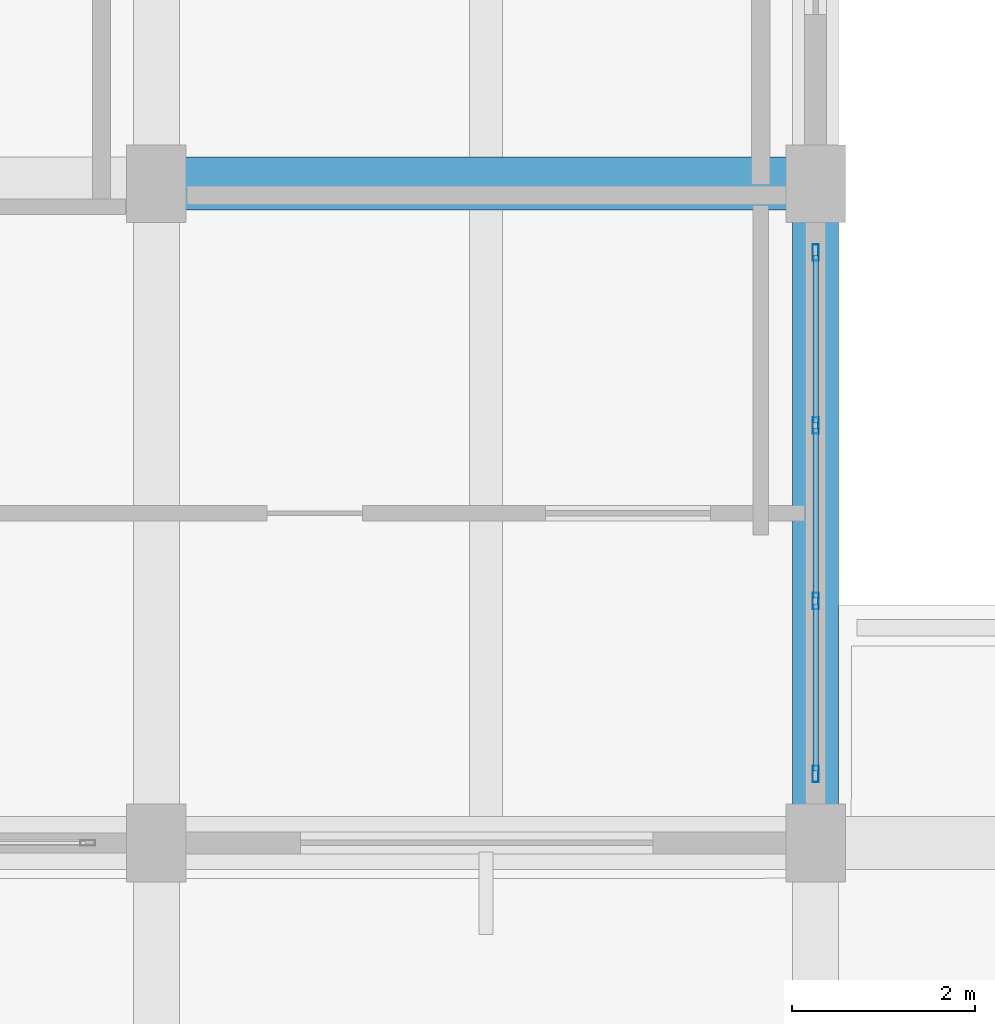
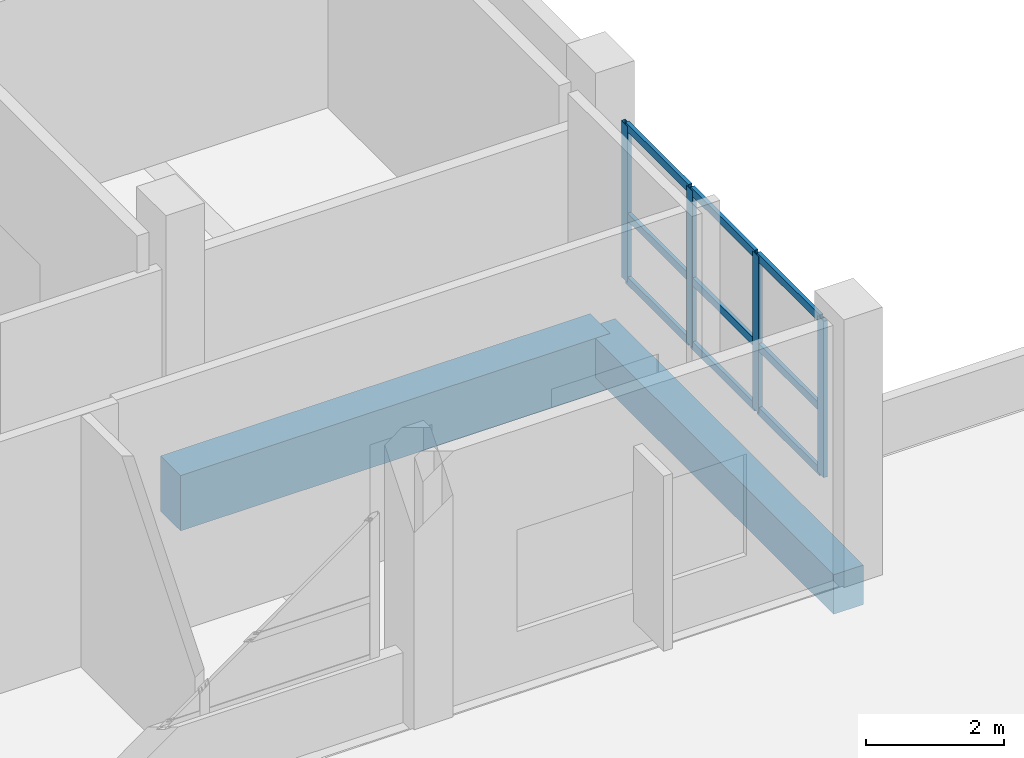
# One storey, part 100 of 140: 13 members, 2 beams, 1 element without a shape of its own.
"""IFC4 building model written with IfcOpenShell, lengths in metres."""

from ifc_helpers import new_model, si_unit, direction, frame, origin, origin_2d, place, context, subcontext, project, spatial, rectangle, hollow_rectangle, extrude, material, layer, layer_set, material_profile, profile_set, type_object, element, aggregate, save


model = new_model("IFC4")

# Units and contexts
model_context = context("Model", 3, precision=1e-05, world=origin(), true_north=direction((0.0, 1.0)))
body_context = subcontext(model_context, "Body", "Model", "MODEL_VIEW")
ifc_project = project(units=[si_unit("LENGTHUNIT", "METRE"), si_unit("AREAUNIT", "SQUARE_METRE"), si_unit("VOLUMEUNIT", "CUBIC_METRE"), si_unit("PLANEANGLEUNIT", "RADIAN"), si_unit("MASSUNIT", "GRAM", prefix="KILO")], contexts=[model_context])

# Site, building, storey
site_placement = place(None, origin())
site = spatial("IfcSite", under=ifc_project, at=site_placement, CompositionType="ELEMENT")
building_placement = place(site_placement, origin())
building = spatial("IfcBuilding", under=site, at=building_placement, Name="Seraya Terrace Polytechnic", CompositionType="ELEMENT")
storey_placement = place(building_placement, frame((0.0, 0.0, 9.60009765625)))
storey = spatial("IfcBuildingStorey", under=building, at=storey_placement, Name="L02", CompositionType="ELEMENT", Elevation=9.60009765625)

# Beams
ifc_material_1 = material(Name="Concrete C40/50", Category="concrete")
ifc_material_profile_1 = material_profile(ifc_material_1, rectangle(XDim=0.580078125, YDim=0.97998046875, at=origin_2d()), Name="RC 580x980")
ifc_profile_set_1 = profile_set([ifc_material_profile_1], Name="Concrete C40/50")
beam_type_1 = type_object("IfcBeamType", Name="BM-02", PredefinedType="BEAM", material=ifc_profile_set_1)
beam_1_placement = place(storey_placement, frame((151.199951171875, 86.39990234375, -0.489990234375), z_axis=(1.0, 0.0, 0.0), x_axis=(0.0, 1.0, 0.0)))
element("IfcBeam", 1, at=beam_1_placement, inside=storey, type_object=beam_type_1, Name="Beam BM-02 L02 X (151.2..158.4, 86.4)", PredefinedType="BEAM", context=body_context, shape_type="SweptSolid", body=[
    extrude(rectangle(XDim=0.580078125, YDim=0.97998046875, at=origin_2d()), origin(), (0.0, 0.0, 1.0), 7.199951171875),
])
ifc_material_profile_2 = material_profile(ifc_material_1, rectangle(XDim=0.5, YDim=0.699951171875, at=origin_2d()), Name="RC 500x700")
ifc_profile_set_2 = profile_set([ifc_material_profile_2], Name="Concrete C40/50")
beam_type_2 = type_object("IfcBeamType", Name="BM-07", PredefinedType="BEAM", material=ifc_profile_set_2)
beam_2_placement = place(storey_placement, frame((158.39990234375, 79.199951171875, -0.35009765625), z_axis=(0.0, 1.0, 0.0), x_axis=(-1.0, 0.0, 0.0)))
element("IfcBeam", 2, at=beam_2_placement, inside=storey, type_object=beam_type_2, Name="Beam BM-07 L02 Y (158.4, 79.2..86.4)", PredefinedType="BEAM", context=body_context, shape_type="SweptSolid", body=[
    extrude(rectangle(XDim=0.5, YDim=0.699951171875, at=origin_2d()), origin(), (0.0, 0.0, 1.0), 7.199951171875),
])

# Curtain wall, members
ifc_material_2 = material(Name="Anodised aluminium EN AW-6063 T6", Category="aluminium")
ifc_layer = layer(ifc_material_2, 0.179931640625, Name="CW-19")
ifc_layer_set = layer_set([ifc_layer], Name="Anodised aluminium EN AW-6063 T6")
curtain_wall_type = type_object("IfcCurtainWallType", Name="CW-19", PredefinedType="NOTDEFINED", material=ifc_layer_set)
curtain_wall_placement = place(storey_placement, origin())
curtain_wall = element("IfcCurtainWall", 3, at=curtain_wall_placement, inside=storey, type_object=curtain_wall_type, Name="Unitised curtain wall CW-19 (CW-L02-091)", PredefinedType="NOTDEFINED")
ifc_material_profile_3 = material_profile(ifc_material_2, hollow_rectangle(XDim=0.06494140625, YDim=0.179931640625, WallThickness=0.00390625, at=origin_2d()), Name="RHS 180x65x4.0")
ifc_profile_set_3 = profile_set([ifc_material_profile_3], Name="Anodised aluminium EN AW-6063 T6")
member_type_1 = type_object("IfcMemberType", Name="CWM-01", PredefinedType="MULLION", material=ifc_profile_set_3)
member_1_placement = place(storey_placement, frame((158.39990234375, 85.6474609375, 1.239990234375), z_axis=(0.0, 0.0, 1.0), x_axis=(1.0, 0.0, 0.0)))
member_1 = element("IfcMember", 4, at=member_1_placement, type_object=member_type_1, Name="CW-19 mullion 1", PredefinedType="MULLION", context=body_context, shape_type="SweptSolid", body=[
    extrude(hollow_rectangle(XDim=0.06494140625, YDim=0.179931640625, WallThickness=0.00390625, at=origin_2d()), origin(), (0.0, 0.0, 1.0), 2.77001953125),
])
member_2_placement = place(storey_placement, frame((158.39990234375, 83.760009765625, 1.239990234375), z_axis=(0.0, 0.0, 1.0), x_axis=(1.0, 0.0, 0.0)))
member_2 = element("IfcMember", 5, at=member_2_placement, type_object=member_type_1, Name="CW-19 mullion 2", PredefinedType="MULLION", context=body_context, shape_type="SweptSolid", body=[
    extrude(hollow_rectangle(XDim=0.06494140625, YDim=0.179931640625, WallThickness=0.00390625, at=origin_2d()), origin(), (0.0, 0.0, 1.0), 2.77001953125),
])
member_3_placement = place(storey_placement, frame((158.39990234375, 81.840087890625, 1.239990234375), z_axis=(0.0, 0.0, 1.0), x_axis=(1.0, 0.0, 0.0)))
member_3 = element("IfcMember", 6, at=member_3_placement, type_object=member_type_1, Name="CW-19 mullion 3", PredefinedType="MULLION", context=body_context, shape_type="SweptSolid", body=[
    extrude(hollow_rectangle(XDim=0.06494140625, YDim=0.179931640625, WallThickness=0.00390625, at=origin_2d()), origin(), (0.0, 0.0, 1.0), 2.77001953125),
])
member_4_placement = place(storey_placement, frame((158.39990234375, 79.952392578125, 1.239990234375), z_axis=(0.0, 0.0, 1.0), x_axis=(1.0, 0.0, 0.0)))
member_4 = element("IfcMember", 7, at=member_4_placement, type_object=member_type_1, Name="CW-19 mullion 4", PredefinedType="MULLION", context=body_context, shape_type="SweptSolid", body=[
    extrude(hollow_rectangle(XDim=0.06494140625, YDim=0.179931640625, WallThickness=0.00390625, at=origin_2d()), origin(), (0.0, 0.0, 1.0), 2.77001953125),
])
ifc_material_profile_4 = material_profile(ifc_material_2, hollow_rectangle(XDim=0.06005859375, YDim=0.139892578125, WallThickness=0.00341796875, at=origin_2d()), Name="RHS 140x60x3.5")
ifc_profile_set_4 = profile_set([ifc_material_profile_4], Name="Anodised aluminium EN AW-6063 T6")
member_type_2 = type_object("IfcMemberType", Name="CWT-01", PredefinedType="USERDEFINED", material=ifc_profile_set_4)
member_5_placement = place(storey_placement, frame((158.39990234375, 85.614990234375, 1.27001953125), z_axis=(0.0, -1.0, 0.0), x_axis=(1.0, 0.0, 0.0)))
member_5 = element("IfcMember", 8, at=member_5_placement, type_object=member_type_2, Name="CW-19 transom 1.1", ObjectType="TRANSOM", PredefinedType="USERDEFINED", context=body_context, shape_type="SweptSolid", body=[
    extrude(hollow_rectangle(XDim=0.06005859375, YDim=0.139892578125, WallThickness=0.00341796875, at=origin_2d()), origin(), (0.0, 0.0, 1.0), 1.822509765625),
])
member_6_placement = place(storey_placement, frame((158.39990234375, 85.614990234375, 2.4033203125), z_axis=(0.0, -1.0, 0.0), x_axis=(1.0, 0.0, 0.0)))
member_6 = element("IfcMember", 9, at=member_6_placement, type_object=member_type_2, Name="CW-19 transom 1.2", ObjectType="TRANSOM", PredefinedType="USERDEFINED", context=body_context, shape_type="SweptSolid", body=[
    extrude(hollow_rectangle(XDim=0.06005859375, YDim=0.139892578125, WallThickness=0.00341796875, at=origin_2d()), origin(), (0.0, 0.0, 1.0), 1.822509765625),
])
member_7_placement = place(storey_placement, frame((158.39990234375, 85.614990234375, 3.97998046875), z_axis=(0.0, -1.0, 0.0), x_axis=(1.0, 0.0, 0.0)))
member_7 = element("IfcMember", 10, at=member_7_placement, type_object=member_type_2, Name="CW-19 transom 1.3", ObjectType="TRANSOM", PredefinedType="USERDEFINED", context=body_context, shape_type="SweptSolid", body=[
    extrude(hollow_rectangle(XDim=0.06005859375, YDim=0.139892578125, WallThickness=0.00341796875, at=origin_2d()), origin(), (0.0, 0.0, 1.0), 1.822509765625),
])
member_8_placement = place(storey_placement, frame((158.39990234375, 83.7275390625, 1.27001953125), z_axis=(0.0, -1.0, 0.0), x_axis=(1.0, 0.0, 0.0)))
member_8 = element("IfcMember", 11, at=member_8_placement, type_object=member_type_2, Name="CW-19 transom 2.1", ObjectType="TRANSOM", PredefinedType="USERDEFINED", context=body_context, shape_type="SweptSolid", body=[
    extrude(hollow_rectangle(XDim=0.06005859375, YDim=0.139892578125, WallThickness=0.00341796875, at=origin_2d()), origin(), (0.0, 0.0, 1.0), 1.85498046875),
])
member_9_placement = place(storey_placement, frame((158.39990234375, 83.7275390625, 2.4033203125), z_axis=(0.0, -1.0, 0.0), x_axis=(1.0, 0.0, 0.0)))
member_9 = element("IfcMember", 12, at=member_9_placement, type_object=member_type_2, Name="CW-19 transom 2.2", ObjectType="TRANSOM", PredefinedType="USERDEFINED", context=body_context, shape_type="SweptSolid", body=[
    extrude(hollow_rectangle(XDim=0.06005859375, YDim=0.139892578125, WallThickness=0.00341796875, at=origin_2d()), origin(), (0.0, 0.0, 1.0), 1.85498046875),
])
member_10_placement = place(storey_placement, frame((158.39990234375, 83.7275390625, 3.97998046875), z_axis=(0.0, -1.0, 0.0), x_axis=(1.0, 0.0, 0.0)))
member_10 = element("IfcMember", 13, at=member_10_placement, type_object=member_type_2, Name="CW-19 transom 2.3", ObjectType="TRANSOM", PredefinedType="USERDEFINED", context=body_context, shape_type="SweptSolid", body=[
    extrude(hollow_rectangle(XDim=0.06005859375, YDim=0.139892578125, WallThickness=0.00341796875, at=origin_2d()), origin(), (0.0, 0.0, 1.0), 1.85498046875),
])
member_11_placement = place(storey_placement, frame((158.39990234375, 81.8076171875, 1.27001953125), z_axis=(0.0, -1.0, 0.0), x_axis=(1.0, 0.0, 0.0)))
member_11 = element("IfcMember", 14, at=member_11_placement, type_object=member_type_2, Name="CW-19 transom 3.1", ObjectType="TRANSOM", PredefinedType="USERDEFINED", context=body_context, shape_type="SweptSolid", body=[
    extrude(hollow_rectangle(XDim=0.06005859375, YDim=0.139892578125, WallThickness=0.00341796875, at=origin_2d()), origin(), (0.0, 0.0, 1.0), 1.822509765625),
])
member_12_placement = place(storey_placement, frame((158.39990234375, 81.8076171875, 2.4033203125), z_axis=(0.0, -1.0, 0.0), x_axis=(1.0, 0.0, 0.0)))
member_12 = element("IfcMember", 15, at=member_12_placement, type_object=member_type_2, Name="CW-19 transom 3.2", ObjectType="TRANSOM", PredefinedType="USERDEFINED", context=body_context, shape_type="SweptSolid", body=[
    extrude(hollow_rectangle(XDim=0.06005859375, YDim=0.139892578125, WallThickness=0.00341796875, at=origin_2d()), origin(), (0.0, 0.0, 1.0), 1.822509765625),
])
member_13_placement = place(storey_placement, frame((158.39990234375, 81.8076171875, 3.97998046875), z_axis=(0.0, -1.0, 0.0), x_axis=(1.0, 0.0, 0.0)))
member_13 = element("IfcMember", 16, at=member_13_placement, type_object=member_type_2, Name="CW-19 transom 3.3", ObjectType="TRANSOM", PredefinedType="USERDEFINED", context=body_context, shape_type="SweptSolid", body=[
    extrude(hollow_rectangle(XDim=0.06005859375, YDim=0.139892578125, WallThickness=0.00341796875, at=origin_2d()), origin(), (0.0, 0.0, 1.0), 1.822509765625),
])
aggregate(curtain_wall, [member_1, member_2, member_3, member_4, member_5, member_6, member_7, member_8, member_9, member_10, member_11, member_12, member_13])

save(model, "model.ifc")
